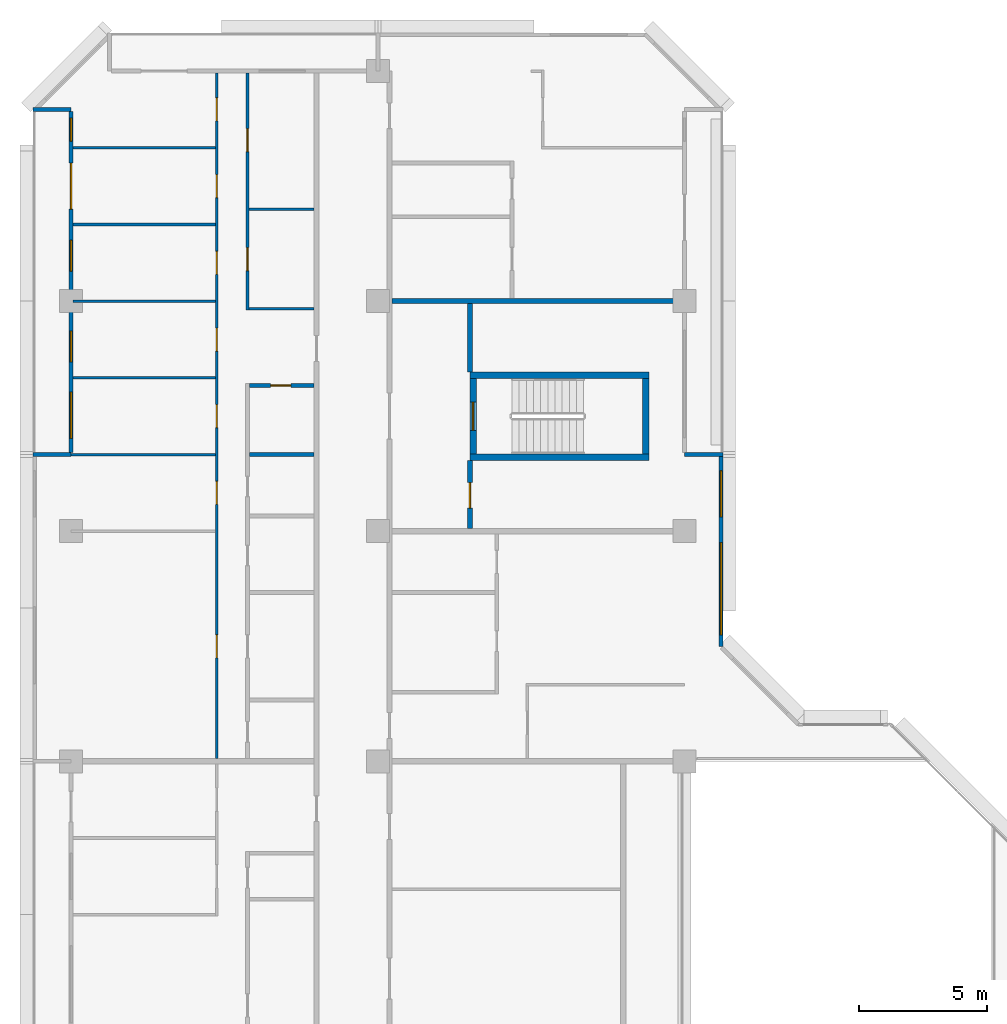
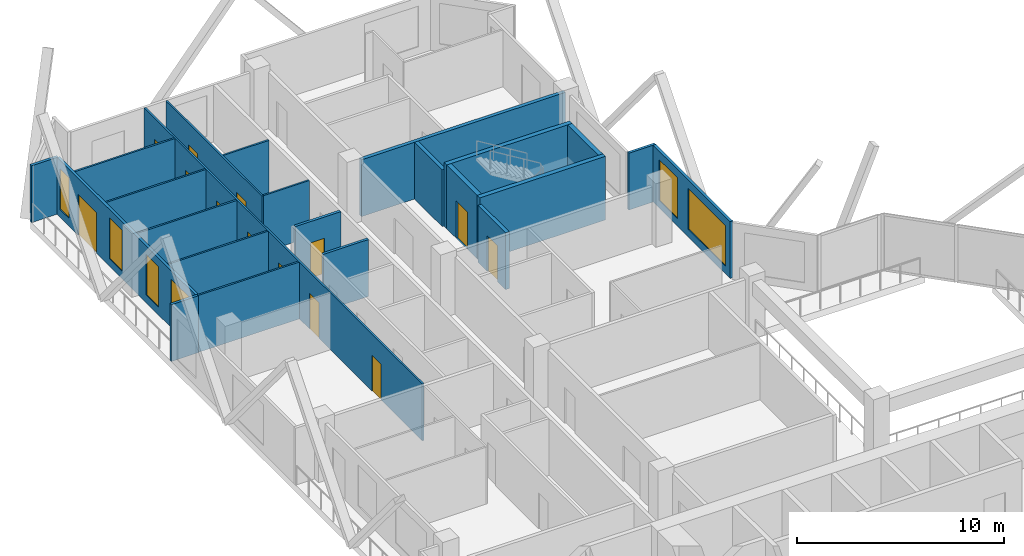
# One storey, part 10 of 15: 23 walls, 13 doors, 6 windows, 19 openings.
"""IFC4 building model written with IfcOpenShell, lengths in metres."""

from ifc_helpers import new_model, si_unit, direction, frame, frame_2d, origin, place, context, subcontext, project, spatial, rectangle, extrude, material, layer, layer_set, type_object, element, fill, save


model = new_model("IFC4")

# Units and contexts
model_context = context("Model", 3, precision=1e-05, world=origin(), true_north=direction((0.0, 1.0)))
body_context = subcontext(model_context, "Body", "Model", "MODEL_VIEW")
ifc_project = project(units=[si_unit("LENGTHUNIT", "METRE"), si_unit("AREAUNIT", "SQUARE_METRE"), si_unit("VOLUMEUNIT", "CUBIC_METRE"), si_unit("PLANEANGLEUNIT", "RADIAN"), si_unit("MASSUNIT", "GRAM", prefix="KILO")], contexts=[model_context])

# Site, building, storey
site_placement = place(None, origin())
site = spatial("IfcSite", under=ifc_project, at=site_placement, CompositionType="ELEMENT")
building_placement = place(site_placement, origin())
building = spatial("IfcBuilding", under=site, at=building_placement, Name="Chenar Terraces", CompositionType="ELEMENT")
storey_placement = place(building_placement, frame((0.0, 0.0, 187.39990234375)))
storey = spatial("IfcBuildingStorey", under=building, at=storey_placement, Name="L43", CompositionType="ELEMENT", Elevation=187.39990234375)

# Walls
ifc_material_1 = material(Name="Concrete C60/75", Category="concrete")
ifc_layer_1 = layer(ifc_material_1, 0.25)
ifc_layer_set_1 = layer_set([ifc_layer_1], Name="Concrete C60/75")
wall_type_1 = type_object("IfcWallType", Name="Core wall 250 Concrete C60/75", PredefinedType="SHEAR", material=ifc_layer_set_1)
for number, where, z_axis, x_axis, name in (
    (1, (15.60009765625, 47.89990234375, 0.0), (0.0, 0.0, 1.0), (1.0, 0.0, 0.0), "Core wall ST4_S L43"),
    (2, (15.60009765625, 51.10009765625, 0.0), (0.0, 0.0, 1.0), (1.0, 0.0, 0.0), "Core wall ST4_N L43"),
):
    element("IfcWall", number, at=place(storey_placement, frame(where, z_axis=z_axis, x_axis=x_axis)), inside=storey, type_object=wall_type_1, Name=name, PredefinedType="SHEAR", context=body_context, shape_type="SweptSolid", body=[
        extrude(rectangle(XDim=7.0, YDim=0.25, at=frame_2d((3.5, 0.0))), origin(), (0.0, 0.0, 1.0), 3.75),
    ])

# Wall, opening, door
wall_1_placement = place(storey_placement, frame((15.72509765625, 48.02490234375, 0.0), z_axis=(0.0, 0.0, 1.0), x_axis=(0.0, 1.0, 0.0)))
wall_1 = element("IfcWall", 3, at=wall_1_placement, inside=storey, type_object=wall_type_1, Name="Core wall ST4_W L43", PredefinedType="SHEAR", context=body_context, shape_type="SweptSolid", body=[
    extrude(rectangle(XDim=2.9501953125, YDim=0.25, at=frame_2d((1.47509765625, 0.0))), origin(), (0.0, 0.0, 1.0), 3.75),
])
opening_1_placement = place(wall_1_placement, frame((0.925048828125, 0.0, 0.0)))
opening_1 = element("IfcOpeningElement", 4, at=opening_1_placement, cuts=wall_1, Name="Opening DL43-C9", PredefinedType="OPENING", context=body_context, shape_type="SweptSolid", body=[
    extrude(rectangle(XDim=1.10009765625, YDim=2.199951171875, at=frame_2d((0.550048828125, 1.10009765625))), frame((0.0, 0.135009765625, 0.0), z_axis=(0.0, -1.0, 0.0), x_axis=(1.0, 0.0, 0.0)), (0.0, 0.0, 1.0), 0.27001953125),
])
ifc_material_2 = material(Name="Steel-framed fire-resisting door leaf", Category="steel")
door_type_1 = type_object("IfcDoorType", Name="Stair fire door FD60 1100 x 2200", OperationType="SINGLE_SWING_LEFT", PredefinedType="DOOR", material=ifc_material_2)
door_1_placement = place(opening_1_placement, frame((1.10009765625, 0.0, 0.0), z_axis=(0.0, 0.0, 1.0), x_axis=(-1.0, 0.0, 0.0)))
door_1 = element("IfcDoor", 5, at=door_1_placement, inside=storey, type_object=door_type_1, Name="Stair door DL43-C9", OperationType="SINGLE_SWING_RIGHT", OverallHeight=2.199951171875, OverallWidth=1.10009765625, PredefinedType="DOOR", context=body_context, shape_type="SweptSolid", body=[
    extrude(rectangle(XDim=1.10009765625, YDim=2.199951171875, at=frame_2d((0.550048828125, 1.10009765625))), frame((0.0, 0.02490234375, 0.0), z_axis=(0.0, -1.0, 0.0), x_axis=(1.0, 0.0, 0.0)), (0.0, 0.0, 1.0), 0.050048828125),
])
fill(opening_1, door_1)

# Wall
wall_2_placement = place(storey_placement, frame((22.47509765625, 48.02490234375, 0.0), z_axis=(0.0, 0.0, 1.0), x_axis=(0.0, 1.0, 0.0)))
element("IfcWall", 6, at=wall_2_placement, inside=storey, type_object=wall_type_1, Name="Core wall ST4_E L43", PredefinedType="SHEAR", context=body_context, shape_type="SweptSolid", body=[
    extrude(rectangle(XDim=2.9501953125, YDim=0.25, at=frame_2d((1.47509765625, 0.0))), origin(), (0.0, 0.0, 1.0), 3.75),
])

# Wall, opening, door
ifc_material_3 = material(Name="Gypsum board on steel studs with fire boards", Category="steel")
ifc_layer_2 = layer(ifc_material_3, 0.199951171875)
ifc_layer_set_2 = layer_set([ifc_layer_2], Name="Gypsum board on steel studs with fire boards")
wall_type_2 = type_object("IfcWallType", Name="Corridor wall 200", PredefinedType="PARTITIONING", material=ifc_layer_set_2)
wall_3_placement = place(storey_placement, frame((15.60009765625, 45.10009765625, 0.0), z_axis=(0.0, 0.0, 1.0), x_axis=(0.0, 1.0, 0.0)))
wall_3 = element("IfcWall", 7, at=wall_3_placement, inside=storey, type_object=wall_type_2, Name="Partition L43-044", PredefinedType="PARTITIONING", context=body_context, shape_type="SweptSolid", body=[
    extrude(rectangle(XDim=2.6748046875, YDim=0.199951171875, at=frame_2d((1.33740234375, 0.0))), origin(), (0.0, 0.0, 1.0), 3.35009765625),
])
opening_2_placement = place(wall_3_placement, frame((0.800048828125, 0.0, 0.0)))
opening_2 = element("IfcOpeningElement", 8, at=opening_2_placement, cuts=wall_3, Name="Opening DL43-43", PredefinedType="OPENING", context=body_context, shape_type="SweptSolid", body=[
    extrude(rectangle(XDim=1.0, YDim=2.10009765625, at=frame_2d((0.5, 1.050048828125))), frame((0.0, 0.10986328125, 0.0), z_axis=(0.0, -1.0, 0.0), x_axis=(1.0, 0.0, 0.0)), (0.0, 0.0, 1.0), 0.219970703125),
])
ifc_material_4 = material(Name="Steel-framed fire-resisting door leaf", Category="steel")
door_type_2 = type_object("IfcDoorType", Name="Fire door FD60 1000 x 2100", OperationType="SINGLE_SWING_LEFT", PredefinedType="DOOR", material=ifc_material_4)
door_2_placement = place(opening_2_placement, frame((1.0, 0.0, 0.0), z_axis=(0.0, 0.0, 1.0), x_axis=(-1.0, 0.0, 0.0)))
door_2 = element("IfcDoor", 9, at=door_2_placement, inside=storey, type_object=door_type_2, Name="Door DL43-43", OperationType="SINGLE_SWING_RIGHT", OverallHeight=2.10009765625, OverallWidth=1.0, PredefinedType="DOOR", context=body_context, shape_type="SweptSolid", body=[
    extrude(rectangle(XDim=1.0, YDim=2.10009765625, at=frame_2d((0.5, 1.050048828125))), frame((0.0, 0.02490234375, 0.0), z_axis=(0.0, -1.0, 0.0), x_axis=(1.0, 0.0, 0.0)), (0.0, 0.0, 1.0), 0.050048828125),
])
fill(opening_2, door_2)

# Wall
wall_4_placement = place(storey_placement, frame((15.60009765625, 51.22509765625, 0.0), z_axis=(0.0, 0.0, 1.0), x_axis=(0.0, 1.0, 0.0)))
element("IfcWall", 10, at=wall_4_placement, inside=storey, type_object=wall_type_2, Name="Partition L43-045", PredefinedType="PARTITIONING", context=body_context, shape_type="SweptSolid", body=[
    extrude(rectangle(XDim=2.6748046875, YDim=0.199951171875, at=frame_2d((1.33740234375, 0.0))), origin(), (0.0, 0.0, 1.0), 3.35009765625),
])

# Wall, openings, windows
ifc_material_5 = material(Name="Aluminium framed glazing", Category="aluminium")
ifc_layer_3 = layer(ifc_material_5, 0.14990234375)
ifc_layer_set_3 = layer_set([ifc_layer_3], Name="Aluminium framed glazing")
wall_type_3 = type_object("IfcWallType", Name="Glazed flush facade wall 150", PredefinedType="SOLIDWALL", material=ifc_layer_set_3)
wall_5_placement = place(storey_placement, frame((25.425048828125, 40.5, 0.0), z_axis=(0.0, 0.0, 1.0), x_axis=(0.0, 1.0, 0.0)))
wall_5 = element("IfcWall", 11, at=wall_5_placement, inside=storey, type_object=wall_type_3, Name="Glazed flush facade wall", PredefinedType="SOLIDWALL", context=body_context, shape_type="SweptSolid", body=[
    extrude(rectangle(XDim=7.425048828125, YDim=0.14990234375, at=frame_2d((3.71240234375, 0.0))), origin(), (0.0, 0.0, 1.0), 3.35009765625),
])
opening_3_placement = place(wall_5_placement, frame((0.449951171875, 0.0, 0.449951171875)))
opening_3 = element("IfcOpeningElement", 12, at=opening_3_placement, cuts=wall_5, Name="Opening W360x240", PredefinedType="OPENING", context=body_context, shape_type="SweptSolid", body=[
    extrude(rectangle(XDim=3.60009765625, YDim=2.39990234375, at=frame_2d((1.800048828125, 1.199951171875))), frame((0.0, 0.0849609375, 0.0), z_axis=(0.0, -1.0, 0.0), x_axis=(1.0, 0.0, 0.0)), (0.0, 0.0, 1.0), 0.169921875),
])
opening_4_placement = place(wall_5_placement, frame((5.0625, 0.0, 0.449951171875)))
opening_4 = element("IfcOpeningElement", 13, at=opening_4_placement, cuts=wall_5, Name="Opening W180x240", PredefinedType="OPENING", context=body_context, shape_type="SweptSolid", body=[
    extrude(rectangle(XDim=1.800048828125, YDim=2.39990234375, at=frame_2d((0.89990234375, 1.199951171875))), frame((0.0, 0.0849609375, 0.0), z_axis=(0.0, -1.0, 0.0), x_axis=(1.0, 0.0, 0.0)), (0.0, 0.0, 1.0), 0.169921875),
])
ifc_material_6 = material(Name="Low emissivity double glazing, aluminium frame", Category="aluminium")
window_type_1 = type_object("IfcWindowType", Name="Fixed light 1800 x 2400", PartitioningType="SINGLE_PANEL", PredefinedType="WINDOW", material=ifc_material_6)
window_1_placement = place(opening_4_placement, origin())
window_1 = element("IfcWindow", 14, at=window_1_placement, inside=storey, type_object=window_type_1, Name="Window", OverallHeight=2.39990234375, OverallWidth=1.800048828125, PartitioningType="SINGLE_PANEL", PredefinedType="WINDOW", context=body_context, shape_type="SweptSolid", body=[
    extrude(rectangle(XDim=1.800048828125, YDim=2.39990234375, at=frame_2d((0.89990234375, 1.199951171875))), frame((0.0, 0.030029296875, 0.0), z_axis=(0.0, -1.0, 0.0), x_axis=(1.0, 0.0, 0.0)), (0.0, 0.0, 1.0), 0.06005859375),
])
fill(opening_4, window_1)
ifc_material_7 = material(Name="Low emissivity double glazing, aluminium frame", Category="aluminium")
window_type_2 = type_object("IfcWindowType", Name="Fixed light 3600 x 2400", PartitioningType="SINGLE_PANEL", PredefinedType="WINDOW", material=ifc_material_7)
window_2_placement = place(opening_3_placement, origin())
window_2 = element("IfcWindow", 15, at=window_2_placement, inside=storey, type_object=window_type_2, Name="Window", OverallHeight=2.39990234375, OverallWidth=3.60009765625, PartitioningType="SINGLE_PANEL", PredefinedType="WINDOW", context=body_context, shape_type="SweptSolid", body=[
    extrude(rectangle(XDim=3.60009765625, YDim=2.39990234375, at=frame_2d((1.800048828125, 1.199951171875))), frame((0.0, 0.030029296875, 0.0), z_axis=(0.0, -1.0, 0.0), x_axis=(1.0, 0.0, 0.0)), (0.0, 0.0, 1.0), 0.06005859375),
])
fill(opening_3, window_2)

# Wall, openings, windows, door
ifc_material_8 = material(Name="Aluminium framed glazing", Category="aluminium")
ifc_layer_4 = layer(ifc_material_8, 0.14990234375)
ifc_layer_set_4 = layer_set([ifc_layer_4], Name="Aluminium framed glazing")
wall_type_4 = type_object("IfcWallType", Name="Glazed loggia back wall 150", PredefinedType="SOLIDWALL", material=ifc_layer_set_4)
wall_6_placement = place(storey_placement, frame((0.0, 61.425048828125, 0.0), z_axis=(0.0, 0.0, 1.0), x_axis=(0.0, -1.0, 0.0)))
wall_6 = element("IfcWall", 16, at=wall_6_placement, inside=storey, type_object=wall_type_4, Name="Glazed loggia back wall", PredefinedType="SOLIDWALL", context=body_context, shape_type="SweptSolid", body=[
    extrude(rectangle(XDim=13.35009765625, YDim=0.14990234375, at=frame_2d((6.675048828125, 0.0))), origin(), (0.0, 0.0, 1.0), 3.35009765625),
])
opening_5_placement = place(wall_6_placement, frame((0.262451171875, 0.0, 0.449951171875)))
opening_5 = element("IfcOpeningElement", 17, at=opening_5_placement, cuts=wall_6, Name="Opening W90x240", PredefinedType="OPENING", context=body_context, shape_type="SweptSolid", body=[
    extrude(rectangle(XDim=0.89990234375, YDim=2.39990234375, at=frame_2d((0.449951171875, 1.199951171875))), frame((0.0, 0.0849609375, 0.0), z_axis=(0.0, -1.0, 0.0), x_axis=(1.0, 0.0, 0.0)), (0.0, 0.0, 1.0), 0.169921875),
])
opening_6_placement = place(wall_6_placement, frame((2.02490234375, 0.0, 0.0)))
opening_6 = element("IfcOpeningElement", 18, at=opening_6_placement, cuts=wall_6, Name="Opening DL43-G4", PredefinedType="OPENING", context=body_context, shape_type="SweptSolid", body=[
    extrude(rectangle(XDim=1.800048828125, YDim=2.39990234375, at=frame_2d((0.89990234375, 1.199951171875))), frame((0.0, 0.0849609375, 0.0), z_axis=(0.0, -1.0, 0.0), x_axis=(1.0, 0.0, 0.0)), (0.0, 0.0, 1.0), 0.169921875),
])
opening_7_placement = place(wall_6_placement, frame((5.050048828125, 0.0, 0.449951171875)))
opening_7 = element("IfcOpeningElement", 19, at=opening_7_placement, cuts=wall_6, Name="Opening W120x240", PredefinedType="OPENING", context=body_context, shape_type="SweptSolid", body=[
    extrude(rectangle(XDim=1.199951171875, YDim=2.39990234375, at=frame_2d((0.60009765625, 1.199951171875))), frame((0.0, 0.0849609375, 0.0), z_axis=(0.0, -1.0, 0.0), x_axis=(1.0, 0.0, 0.0)), (0.0, 0.0, 1.0), 0.169921875),
])
opening_8_placement = place(wall_6_placement, frame((8.60009765625, 0.0, 0.449951171875)))
opening_8 = element("IfcOpeningElement", 20, at=opening_8_placement, cuts=wall_6, Name="Opening W120x240", PredefinedType="OPENING", context=body_context, shape_type="SweptSolid", body=[
    extrude(rectangle(XDim=1.199951171875, YDim=2.39990234375, at=frame_2d((0.60009765625, 1.199951171875))), frame((0.0, 0.0849609375, 0.0), z_axis=(0.0, -1.0, 0.0), x_axis=(1.0, 0.0, 0.0)), (0.0, 0.0, 1.0), 0.169921875),
])
opening_9_placement = place(wall_6_placement, frame((10.987548828125, 0.0, 0.449951171875)))
opening_9 = element("IfcOpeningElement", 21, at=opening_9_placement, cuts=wall_6, Name="Opening W180x240", PredefinedType="OPENING", context=body_context, shape_type="SweptSolid", body=[
    extrude(rectangle(XDim=1.800048828125, YDim=2.39990234375, at=frame_2d((0.89990234375, 1.199951171875))), frame((0.0, 0.0849609375, 0.0), z_axis=(0.0, -1.0, 0.0), x_axis=(1.0, 0.0, 0.0)), (0.0, 0.0, 1.0), 0.169921875),
])
ifc_material_9 = material(Name="Low emissivity double glazing, aluminium frame", Category="aluminium")
window_type_3 = type_object("IfcWindowType", Name="Fixed light 1200 x 2400", PartitioningType="SINGLE_PANEL", PredefinedType="WINDOW", material=ifc_material_9)
window_3_placement = place(opening_7_placement, origin())
window_3 = element("IfcWindow", 22, at=window_3_placement, inside=storey, type_object=window_type_3, Name="Window", OverallHeight=2.39990234375, OverallWidth=1.199951171875, PartitioningType="SINGLE_PANEL", PredefinedType="WINDOW", context=body_context, shape_type="SweptSolid", body=[
    extrude(rectangle(XDim=1.199951171875, YDim=2.39990234375, at=frame_2d((0.60009765625, 1.199951171875))), frame((0.0, 0.030029296875, 0.0), z_axis=(0.0, -1.0, 0.0), x_axis=(1.0, 0.0, 0.0)), (0.0, 0.0, 1.0), 0.06005859375),
])
fill(opening_7, window_3)
window_4_placement = place(opening_8_placement, origin())
window_4 = element("IfcWindow", 23, at=window_4_placement, inside=storey, type_object=window_type_3, Name="Window", OverallHeight=2.39990234375, OverallWidth=1.199951171875, PartitioningType="SINGLE_PANEL", PredefinedType="WINDOW", context=body_context, shape_type="SweptSolid", body=[
    extrude(rectangle(XDim=1.199951171875, YDim=2.39990234375, at=frame_2d((0.60009765625, 1.199951171875))), frame((0.0, 0.030029296875, 0.0), z_axis=(0.0, -1.0, 0.0), x_axis=(1.0, 0.0, 0.0)), (0.0, 0.0, 1.0), 0.06005859375),
])
fill(opening_8, window_4)
window_5_placement = place(opening_9_placement, origin())
window_5 = element("IfcWindow", 24, at=window_5_placement, inside=storey, type_object=window_type_1, Name="Window", OverallHeight=2.39990234375, OverallWidth=1.800048828125, PartitioningType="SINGLE_PANEL", PredefinedType="WINDOW", context=body_context, shape_type="SweptSolid", body=[
    extrude(rectangle(XDim=1.800048828125, YDim=2.39990234375, at=frame_2d((0.89990234375, 1.199951171875))), frame((0.0, 0.030029296875, 0.0), z_axis=(0.0, -1.0, 0.0), x_axis=(1.0, 0.0, 0.0)), (0.0, 0.0, 1.0), 0.06005859375),
])
fill(opening_9, window_5)
ifc_material_10 = material(Name="Low emissivity double glazing, aluminium frame", Category="aluminium")
window_type_4 = type_object("IfcWindowType", Name="Fixed light 900 x 2400", PartitioningType="SINGLE_PANEL", PredefinedType="WINDOW", material=ifc_material_10)
window_6_placement = place(opening_5_placement, origin())
window_6 = element("IfcWindow", 25, at=window_6_placement, inside=storey, type_object=window_type_4, Name="Window", OverallHeight=2.39990234375, OverallWidth=0.89990234375, PartitioningType="SINGLE_PANEL", PredefinedType="WINDOW", context=body_context, shape_type="SweptSolid", body=[
    extrude(rectangle(XDim=0.89990234375, YDim=2.39990234375, at=frame_2d((0.449951171875, 1.199951171875))), frame((0.0, 0.030029296875, 0.0), z_axis=(0.0, -1.0, 0.0), x_axis=(1.0, 0.0, 0.0)), (0.0, 0.0, 1.0), 0.06005859375),
])
fill(opening_5, window_6)
ifc_material_11 = material(Name="Low emissivity double glazing, aluminium frame", Category="aluminium")
door_type_3 = type_object("IfcDoorType", Name="Loggia glazed double door 1800 x 2400", OperationType="DOUBLE_DOOR_SINGLE_SWING", PredefinedType="DOOR", material=ifc_material_11)
door_3_placement = place(opening_6_placement, frame((1.800048828125, 0.0, 0.0), z_axis=(0.0, 0.0, 1.0), x_axis=(-1.0, 0.0, 0.0)))
door_3 = element("IfcDoor", 26, at=door_3_placement, inside=storey, type_object=door_type_3, Name="Loggia glazed door", OperationType="DOUBLE_DOOR_SINGLE_SWING", OverallHeight=2.39990234375, OverallWidth=1.800048828125, PredefinedType="DOOR", context=body_context, shape_type="SweptSolid", body=[
    extrude(rectangle(XDim=1.800048828125, YDim=2.39990234375, at=frame_2d((0.89990234375, 1.199951171875))), frame((0.0, 0.02490234375, 0.0), z_axis=(0.0, -1.0, 0.0), x_axis=(1.0, 0.0, 0.0)), (0.0, 0.0, 1.0), 0.050048828125),
])
fill(opening_6, door_3)

# Walls
ifc_material_12 = material(Name="Gypsum board on steel studs", Category="steel")
ifc_layer_5 = layer(ifc_material_12, 0.10009765625)
ifc_layer_set_5 = layer_set([ifc_layer_5], Name="Gypsum board on steel studs")
wall_type_5 = type_object("IfcWallType", Name="Gypsum partition 100", PredefinedType="PARTITIONING", material=ifc_layer_set_5)
wall_7_placement = place(storey_placement, frame((0.0, 48.0, 0.0), z_axis=(0.0, 0.0, 1.0), x_axis=(1.0, 0.0, 0.0)))
element("IfcWall", 27, at=wall_7_placement, inside=storey, type_object=wall_type_5, Name="Partition L43-005", PredefinedType="PARTITIONING", context=body_context, shape_type="SweptSolid", body=[
    extrude(rectangle(XDim=5.64990234375, YDim=0.10009765625, at=frame_2d((2.824951171875, 0.0))), origin(), (0.0, 0.0, 1.0), 3.35009765625),
])
for number, where, z_axis, x_axis, name in (
    (28, (0.073974609375, 51.0, 0.0), (0.0, 0.0, 1.0), (1.0, 0.0, 0.0), "Partition L43-008"),
    (29, (0.073974609375, 54.0, 0.0), (0.0, 0.0, 1.0), (1.0, 0.0, 0.0), "Partition L43-009"),
    (30, (0.073974609375, 57.0, 0.0), (0.0, 0.0, 1.0), (1.0, 0.0, 0.0), "Partition L43-010"),
    (31, (0.073974609375, 60.0, 0.0), (0.0, 0.0, 1.0), (1.0, 0.0, 0.0), "Partition L43-011"),
):
    element("IfcWall", number, at=place(storey_placement, frame(where, z_axis=z_axis, x_axis=x_axis)), inside=storey, type_object=wall_type_5, Name=name, PredefinedType="PARTITIONING", context=body_context, shape_type="SweptSolid", body=[
        extrude(rectangle(XDim=5.575927734375, YDim=0.10009765625, at=frame_2d((2.7880859375, 0.0))), origin(), (0.0, 0.0, 1.0), 3.35009765625),
    ])

# Wall, openings, doors
wall_8_placement = place(storey_placement, frame((5.699951171875, 36.10009765625, 0.0), z_axis=(0.0, 0.0, 1.0), x_axis=(0.0, 1.0, 0.0)))
wall_8 = element("IfcWall", 32, at=wall_8_placement, inside=storey, type_object=wall_type_5, Name="Partition L43-014", PredefinedType="PARTITIONING", context=body_context, shape_type="SweptSolid", body=[
    extrude(rectangle(XDim=26.825927734375, YDim=0.10009765625, at=frame_2d((13.4130859375, 0.0))), origin(), (0.0, 0.0, 1.0), 3.35009765625),
])
opening_10_placement = place(wall_8_placement, frame((9.949951171875, 0.0, 0.0)))
opening_10 = element("IfcOpeningElement", 33, at=opening_10_placement, cuts=wall_8, Name="Opening DL43-24", PredefinedType="OPENING", context=body_context, shape_type="SweptSolid", body=[
    extrude(rectangle(XDim=0.89990234375, YDim=2.10009765625, at=frame_2d((0.449951171875, 1.050048828125))), frame((0.0, 0.06005859375, 0.0), z_axis=(0.0, -1.0, 0.0), x_axis=(1.0, 0.0, 0.0)), (0.0, 0.0, 1.0), 0.1201171875),
])
opening_11_placement = place(wall_8_placement, frame((12.949951171875, 0.0, 0.0)))
opening_11 = element("IfcOpeningElement", 34, at=opening_11_placement, cuts=wall_8, Name="Opening DL43-25", PredefinedType="OPENING", context=body_context, shape_type="SweptSolid", body=[
    extrude(rectangle(XDim=0.89990234375, YDim=2.10009765625, at=frame_2d((0.449951171875, 1.050048828125))), frame((0.0, 0.06005859375, 0.0), z_axis=(0.0, -1.0, 0.0), x_axis=(1.0, 0.0, 0.0)), (0.0, 0.0, 1.0), 0.1201171875),
])
opening_12_placement = place(wall_8_placement, frame((15.949951171875, 0.0, 0.0)))
opening_12 = element("IfcOpeningElement", 35, at=opening_12_placement, cuts=wall_8, Name="Opening DL43-26", PredefinedType="OPENING", context=body_context, shape_type="SweptSolid", body=[
    extrude(rectangle(XDim=0.89990234375, YDim=2.10009765625, at=frame_2d((0.449951171875, 1.050048828125))), frame((0.0, 0.06005859375, 0.0), z_axis=(0.0, -1.0, 0.0), x_axis=(1.0, 0.0, 0.0)), (0.0, 0.0, 1.0), 0.1201171875),
])
opening_13_placement = place(wall_8_placement, frame((18.949951171875, 0.0, 0.0)))
opening_13 = element("IfcOpeningElement", 36, at=opening_13_placement, cuts=wall_8, Name="Opening DL43-27", PredefinedType="OPENING", context=body_context, shape_type="SweptSolid", body=[
    extrude(rectangle(XDim=0.89990234375, YDim=2.10009765625, at=frame_2d((0.449951171875, 1.050048828125))), frame((0.0, 0.06005859375, 0.0), z_axis=(0.0, -1.0, 0.0), x_axis=(1.0, 0.0, 0.0)), (0.0, 0.0, 1.0), 0.1201171875),
])
opening_14_placement = place(wall_8_placement, frame((24.949951171875, 0.0, 0.0)))
opening_14 = element("IfcOpeningElement", 37, at=opening_14_placement, cuts=wall_8, Name="Opening DL43-28", PredefinedType="OPENING", context=body_context, shape_type="SweptSolid", body=[
    extrude(rectangle(XDim=0.89990234375, YDim=2.10009765625, at=frame_2d((0.449951171875, 1.050048828125))), frame((0.0, 0.06005859375, 0.0), z_axis=(0.0, -1.0, 0.0), x_axis=(1.0, 0.0, 0.0)), (0.0, 0.0, 1.0), 0.1201171875),
])
opening_15_placement = place(wall_8_placement, frame((3.949951171875, 0.0, 0.0)))
opening_15 = element("IfcOpeningElement", 38, at=opening_15_placement, cuts=wall_8, Name="Opening DL43-34", PredefinedType="OPENING", context=body_context, shape_type="SweptSolid", body=[
    extrude(rectangle(XDim=0.89990234375, YDim=2.10009765625, at=frame_2d((0.449951171875, 1.050048828125))), frame((0.0, 0.06005859375, 0.0), z_axis=(0.0, -1.0, 0.0), x_axis=(1.0, 0.0, 0.0)), (0.0, 0.0, 1.0), 0.1201171875),
])
opening_16_placement = place(wall_8_placement, frame((21.949951171875, 0.0, 0.0)))
opening_16 = element("IfcOpeningElement", 39, at=opening_16_placement, cuts=wall_8, Name="Opening DL43-36", PredefinedType="OPENING", context=body_context, shape_type="SweptSolid", body=[
    extrude(rectangle(XDim=0.89990234375, YDim=2.10009765625, at=frame_2d((0.449951171875, 1.050048828125))), frame((0.0, 0.06005859375, 0.0), z_axis=(0.0, -1.0, 0.0), x_axis=(1.0, 0.0, 0.0)), (0.0, 0.0, 1.0), 0.1201171875),
])
ifc_material_13 = material(Name="Veneered timber door leaf", Category="wood")
door_type_4 = type_object("IfcDoorType", Name="Door 900 x 2100", OperationType="SINGLE_SWING_LEFT", PredefinedType="DOOR", material=ifc_material_13)
door_4_placement = place(opening_10_placement, origin())
door_4 = element("IfcDoor", 40, at=door_4_placement, inside=storey, type_object=door_type_4, Name="Door DL43-24", OperationType="SINGLE_SWING_RIGHT", OverallHeight=2.10009765625, OverallWidth=0.89990234375, PredefinedType="DOOR", context=body_context, shape_type="SweptSolid", body=[
    extrude(rectangle(XDim=0.89990234375, YDim=2.10009765625, at=frame_2d((0.449951171875, 1.050048828125))), frame((0.0, 0.02490234375, 0.0), z_axis=(0.0, -1.0, 0.0), x_axis=(1.0, 0.0, 0.0)), (0.0, 0.0, 1.0), 0.050048828125),
])
fill(opening_10, door_4)
door_5_placement = place(opening_11_placement, origin())
door_5 = element("IfcDoor", 41, at=door_5_placement, inside=storey, type_object=door_type_4, Name="Door DL43-25", OperationType="SINGLE_SWING_RIGHT", OverallHeight=2.10009765625, OverallWidth=0.89990234375, PredefinedType="DOOR", context=body_context, shape_type="SweptSolid", body=[
    extrude(rectangle(XDim=0.89990234375, YDim=2.10009765625, at=frame_2d((0.449951171875, 1.050048828125))), frame((0.0, 0.02490234375, 0.0), z_axis=(0.0, -1.0, 0.0), x_axis=(1.0, 0.0, 0.0)), (0.0, 0.0, 1.0), 0.050048828125),
])
fill(opening_11, door_5)
door_6_placement = place(opening_12_placement, origin())
door_6 = element("IfcDoor", 42, at=door_6_placement, inside=storey, type_object=door_type_4, Name="Door DL43-26", OperationType="SINGLE_SWING_RIGHT", OverallHeight=2.10009765625, OverallWidth=0.89990234375, PredefinedType="DOOR", context=body_context, shape_type="SweptSolid", body=[
    extrude(rectangle(XDim=0.89990234375, YDim=2.10009765625, at=frame_2d((0.449951171875, 1.050048828125))), frame((0.0, 0.02490234375, 0.0), z_axis=(0.0, -1.0, 0.0), x_axis=(1.0, 0.0, 0.0)), (0.0, 0.0, 1.0), 0.050048828125),
])
fill(opening_12, door_6)
door_7_placement = place(opening_13_placement, origin())
door_7 = element("IfcDoor", 43, at=door_7_placement, inside=storey, type_object=door_type_4, Name="Door DL43-27", OperationType="SINGLE_SWING_RIGHT", OverallHeight=2.10009765625, OverallWidth=0.89990234375, PredefinedType="DOOR", context=body_context, shape_type="SweptSolid", body=[
    extrude(rectangle(XDim=0.89990234375, YDim=2.10009765625, at=frame_2d((0.449951171875, 1.050048828125))), frame((0.0, 0.02490234375, 0.0), z_axis=(0.0, -1.0, 0.0), x_axis=(1.0, 0.0, 0.0)), (0.0, 0.0, 1.0), 0.050048828125),
])
fill(opening_13, door_7)
door_8_placement = place(opening_14_placement, origin())
door_8 = element("IfcDoor", 44, at=door_8_placement, inside=storey, type_object=door_type_4, Name="Door DL43-28", OperationType="SINGLE_SWING_RIGHT", OverallHeight=2.10009765625, OverallWidth=0.89990234375, PredefinedType="DOOR", context=body_context, shape_type="SweptSolid", body=[
    extrude(rectangle(XDim=0.89990234375, YDim=2.10009765625, at=frame_2d((0.449951171875, 1.050048828125))), frame((0.0, 0.02490234375, 0.0), z_axis=(0.0, -1.0, 0.0), x_axis=(1.0, 0.0, 0.0)), (0.0, 0.0, 1.0), 0.050048828125),
])
fill(opening_14, door_8)
door_9_placement = place(opening_15_placement, frame((0.89990234375, 0.0, 0.0), z_axis=(0.0, 0.0, 1.0), x_axis=(-1.0, 0.0, 0.0)))
door_9 = element("IfcDoor", 45, at=door_9_placement, inside=storey, type_object=door_type_4, Name="Door DL43-34", OperationType="SINGLE_SWING_LEFT", OverallHeight=2.10009765625, OverallWidth=0.89990234375, PredefinedType="DOOR", context=body_context, shape_type="SweptSolid", body=[
    extrude(rectangle(XDim=0.89990234375, YDim=2.10009765625, at=frame_2d((0.449951171875, 1.050048828125))), frame((0.0, 0.02490234375, 0.0), z_axis=(0.0, -1.0, 0.0), x_axis=(1.0, 0.0, 0.0)), (0.0, 0.0, 1.0), 0.050048828125),
])
fill(opening_15, door_9)
door_10_placement = place(opening_16_placement, origin())
door_10 = element("IfcDoor", 46, at=door_10_placement, inside=storey, type_object=door_type_4, Name="Door DL43-36", OperationType="SINGLE_SWING_RIGHT", OverallHeight=2.10009765625, OverallWidth=0.89990234375, PredefinedType="DOOR", context=body_context, shape_type="SweptSolid", body=[
    extrude(rectangle(XDim=0.89990234375, YDim=2.10009765625, at=frame_2d((0.449951171875, 1.050048828125))), frame((0.0, 0.02490234375, 0.0), z_axis=(0.0, -1.0, 0.0), x_axis=(1.0, 0.0, 0.0)), (0.0, 0.0, 1.0), 0.050048828125),
])
fill(opening_16, door_10)

wall_9_placement = place(storey_placement, frame((6.89990234375, 53.64990234375, 0.0), z_axis=(0.0, 0.0, 1.0), x_axis=(0.0, 1.0, 0.0)))
wall_9 = element("IfcWall", 47, at=wall_9_placement, inside=storey, type_object=wall_type_5, Name="Partition L43-017", PredefinedType="PARTITIONING", context=body_context, shape_type="SweptSolid", body=[
    extrude(rectangle(XDim=9.276123046875, YDim=0.10009765625, at=frame_2d((4.63818359375, 0.0))), origin(), (0.0, 0.0, 1.0), 3.35009765625),
])
opening_17_placement = place(wall_9_placement, frame((1.550048828125, 0.0, 0.0)))
opening_17 = element("IfcOpeningElement", 48, at=opening_17_placement, cuts=wall_9, Name="Opening DL43-29", PredefinedType="OPENING", context=body_context, shape_type="SweptSolid", body=[
    extrude(rectangle(XDim=0.89990234375, YDim=2.10009765625, at=frame_2d((0.449951171875, 1.050048828125))), frame((0.0, 0.06005859375, 0.0), z_axis=(0.0, -1.0, 0.0), x_axis=(1.0, 0.0, 0.0)), (0.0, 0.0, 1.0), 0.1201171875),
])
opening_18_placement = place(wall_9_placement, frame((6.199951171875, 0.0, 0.0)))
opening_18 = element("IfcOpeningElement", 49, at=opening_18_placement, cuts=wall_9, Name="Opening DL43-31", PredefinedType="OPENING", context=body_context, shape_type="SweptSolid", body=[
    extrude(rectangle(XDim=0.89990234375, YDim=2.10009765625, at=frame_2d((0.449951171875, 1.050048828125))), frame((0.0, 0.06005859375, 0.0), z_axis=(0.0, -1.0, 0.0), x_axis=(1.0, 0.0, 0.0)), (0.0, 0.0, 1.0), 0.1201171875),
])
door_11_placement = place(opening_17_placement, frame((0.89990234375, 0.0, 0.0), z_axis=(0.0, 0.0, 1.0), x_axis=(-1.0, 0.0, 0.0)))
door_11 = element("IfcDoor", 50, at=door_11_placement, inside=storey, type_object=door_type_4, Name="Door DL43-29", OperationType="SINGLE_SWING_LEFT", OverallHeight=2.10009765625, OverallWidth=0.89990234375, PredefinedType="DOOR", context=body_context, shape_type="SweptSolid", body=[
    extrude(rectangle(XDim=0.89990234375, YDim=2.10009765625, at=frame_2d((0.449951171875, 1.050048828125))), frame((0.0, 0.02490234375, 0.0), z_axis=(0.0, -1.0, 0.0), x_axis=(1.0, 0.0, 0.0)), (0.0, 0.0, 1.0), 0.050048828125),
])
fill(opening_17, door_11)
door_12_placement = place(opening_18_placement, frame((0.89990234375, 0.0, 0.0), z_axis=(0.0, 0.0, 1.0), x_axis=(-1.0, 0.0, 0.0)))
door_12 = element("IfcDoor", 51, at=door_12_placement, inside=storey, type_object=door_type_4, Name="Door DL43-31", OperationType="SINGLE_SWING_LEFT", OverallHeight=2.10009765625, OverallWidth=0.89990234375, PredefinedType="DOOR", context=body_context, shape_type="SweptSolid", body=[
    extrude(rectangle(XDim=0.89990234375, YDim=2.10009765625, at=frame_2d((0.449951171875, 1.050048828125))), frame((0.0, 0.02490234375, 0.0), z_axis=(0.0, -1.0, 0.0), x_axis=(1.0, 0.0, 0.0)), (0.0, 0.0, 1.0), 0.050048828125),
])
fill(opening_18, door_12)

# Walls
for number, where, z_axis, x_axis, name in (
    (52, (6.949951171875, 53.699951171875, 0.0), (0.0, 0.0, 1.0), (1.0, 0.0, 0.0), "Partition L43-018"),
    (53, (6.949951171875, 57.60009765625, 0.0), (0.0, 0.0, 1.0), (1.0, 0.0, 0.0), "Partition L43-019"),
):
    element("IfcWall", number, at=place(storey_placement, frame(where, z_axis=z_axis, x_axis=x_axis)), inside=storey, type_object=wall_type_5, Name=name, PredefinedType="PARTITIONING", context=body_context, shape_type="SweptSolid", body=[
        extrude(rectangle(XDim=2.550048828125, YDim=0.10009765625, at=frame_2d((1.27490234375, 0.0))), origin(), (0.0, 0.0, 1.0), 3.35009765625),
    ])
ifc_material_14 = material(Name="Terracotta cladding on insulated backing", Category="masonry")
ifc_layer_6 = layer(ifc_material_14, 0.14990234375)
ifc_layer_set_6 = layer_set([ifc_layer_6], Name="Terracotta cladding on insulated backing")
wall_type_6 = type_object("IfcWallType", Name="Loggia return wall 150", PredefinedType="SOLIDWALL", material=ifc_layer_set_6)
for number, where, z_axis, x_axis, name in (
    (54, (25.5, 48.0, 0.0), (0.0, 0.0, 1.0), (-1.0, 0.0, 0.0), "Loggia return wall"),
    (55, (-1.5, 61.5, 0.0), (0.0, 0.0, 1.0), (1.0, 0.0, 0.0), "Loggia return wall"),
    (56, (-1.5, 48.0, 0.0), (0.0, 0.0, 1.0), (1.0, 0.0, 0.0), "Loggia return wall"),
):
    element("IfcWall", number, at=place(storey_placement, frame(where, z_axis=z_axis, x_axis=x_axis)), inside=storey, type_object=wall_type_6, Name=name, PredefinedType="SOLIDWALL", context=body_context, shape_type="SweptSolid", body=[
        extrude(rectangle(XDim=1.5, YDim=0.14990234375, at=frame_2d((0.75, 0.0))), origin(), (0.0, 0.0, 1.0), 3.35009765625),
    ])
ifc_material_15 = material(Name="Twin gypsum board on steel studs with mineral wool", Category="steel")
ifc_layer_7 = layer(ifc_material_15, 0.199951171875)
ifc_layer_set_7 = layer_set([ifc_layer_7], Name="Twin gypsum board on steel studs with mineral wool")
wall_type_7 = type_object("IfcWallType", Name="Unit demising wall 200", PredefinedType="PARTITIONING", material=ifc_layer_set_7)
wall_10_placement = place(storey_placement, frame((12.550048828125, 54.0, 0.0), z_axis=(0.0, 0.0, 1.0), x_axis=(1.0, 0.0, 0.0)))
element("IfcWall", 57, at=wall_10_placement, inside=storey, type_object=wall_type_7, Name="Partition L43-040", PredefinedType="PARTITIONING", context=body_context, shape_type="SweptSolid", body=[
    extrude(rectangle(XDim=11.3759765625, YDim=0.199951171875, at=frame_2d((5.68798828125, 0.0))), origin(), (0.0, 0.0, 1.0), 3.35009765625),
])
ifc_material_16 = material(Name="Moisture-resistant gypsum board on steel studs", Category="steel")
ifc_layer_8 = layer(ifc_material_16, 0.14990234375)
ifc_layer_set_8 = layer_set([ifc_layer_8], Name="Moisture-resistant gypsum board on steel studs")
wall_type_8 = type_object("IfcWallType", Name="Wet-room partition 150", PredefinedType="PARTITIONING", material=ifc_layer_set_8)
wall_11_placement = place(storey_placement, frame((6.97509765625, 48.0, 0.0), z_axis=(0.0, 0.0, 1.0), x_axis=(1.0, 0.0, 0.0)))
element("IfcWall", 58, at=wall_11_placement, inside=storey, type_object=wall_type_8, Name="Partition L43-025", PredefinedType="PARTITIONING", context=body_context, shape_type="SweptSolid", body=[
    extrude(rectangle(XDim=2.52490234375, YDim=0.14990234375, at=frame_2d((1.262451171875, 0.0))), origin(), (0.0, 0.0, 1.0), 3.35009765625),
])

# Wall, opening, door
wall_12_placement = place(storey_placement, frame((6.97509765625, 50.699951171875, 0.0), z_axis=(0.0, 0.0, 1.0), x_axis=(1.0, 0.0, 0.0)))
wall_12 = element("IfcWall", 59, at=wall_12_placement, inside=storey, type_object=wall_type_8, Name="Partition L43-026", PredefinedType="PARTITIONING", context=body_context, shape_type="SweptSolid", body=[
    extrude(rectangle(XDim=2.52490234375, YDim=0.14990234375, at=frame_2d((1.262451171875, 0.0))), origin(), (0.0, 0.0, 1.0), 3.35009765625),
])
opening_19_placement = place(wall_12_placement, frame((0.824951171875, 0.0, 0.0)))
opening_19 = element("IfcOpeningElement", 60, at=opening_19_placement, cuts=wall_12, Name="Opening DL43-37", PredefinedType="OPENING", context=body_context, shape_type="SweptSolid", body=[
    extrude(rectangle(XDim=0.800048828125, YDim=2.10009765625, at=frame_2d((0.39990234375, 1.050048828125))), frame((0.0, 0.0849609375, 0.0), z_axis=(0.0, -1.0, 0.0), x_axis=(1.0, 0.0, 0.0)), (0.0, 0.0, 1.0), 0.169921875),
])
ifc_material_17 = material(Name="Veneered timber door leaf", Category="wood")
door_type_5 = type_object("IfcDoorType", Name="Door 800 x 2100", OperationType="SINGLE_SWING_LEFT", PredefinedType="DOOR", material=ifc_material_17)
door_13_placement = place(opening_19_placement, frame((0.800048828125, 0.0, 0.0), z_axis=(0.0, 0.0, 1.0), x_axis=(-1.0, 0.0, 0.0)))
door_13 = element("IfcDoor", 61, at=door_13_placement, inside=storey, type_object=door_type_5, Name="Door DL43-37", OperationType="SINGLE_SWING_RIGHT", OverallHeight=2.10009765625, OverallWidth=0.800048828125, PredefinedType="DOOR", context=body_context, shape_type="SweptSolid", body=[
    extrude(rectangle(XDim=0.800048828125, YDim=2.10009765625, at=frame_2d((0.39990234375, 1.050048828125))), frame((0.0, 0.02490234375, 0.0), z_axis=(0.0, -1.0, 0.0), x_axis=(1.0, 0.0, 0.0)), (0.0, 0.0, 1.0), 0.050048828125),
])
fill(opening_19, door_13)

save(model, "model.ifc")
